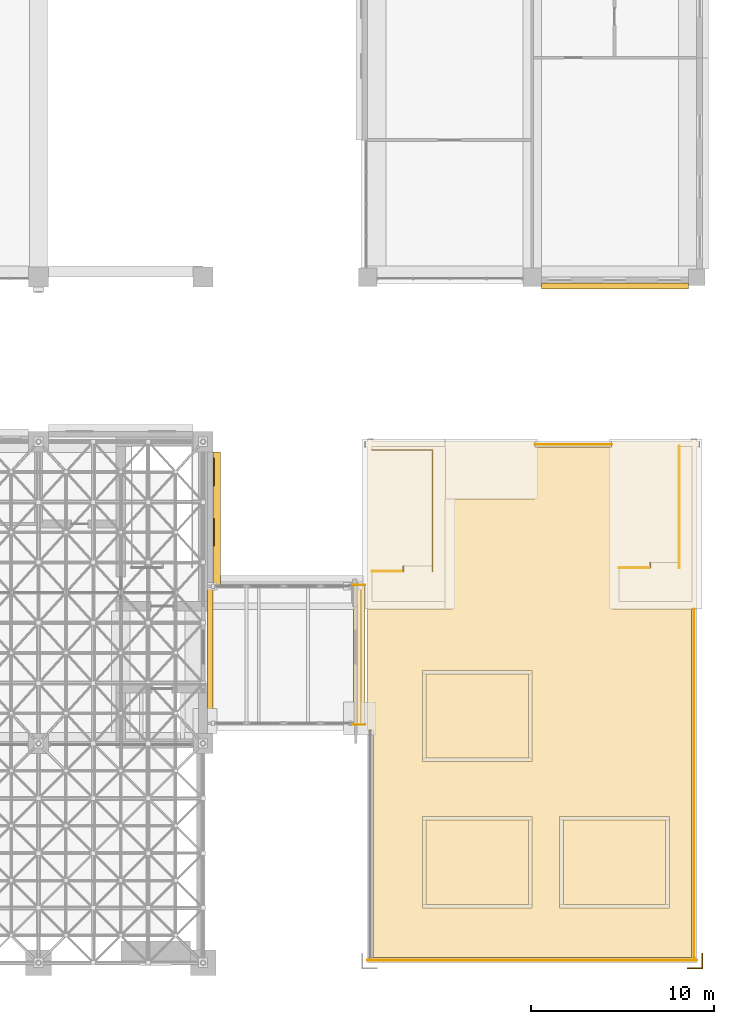
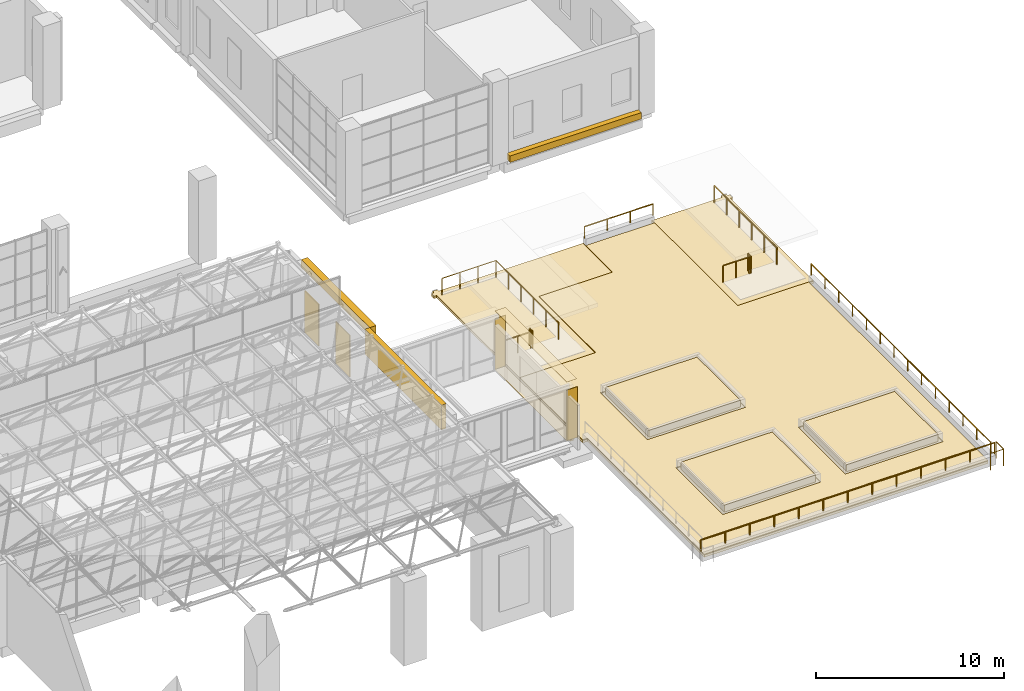
# One storey, part 44 of 53: 15 coverings, 10 railings.
"""IFC4 building model written with IfcOpenShell, lengths in metres."""

from ifc_helpers import new_model, si_unit, direction, frame, origin, origin_2d, place, context, subcontext, project, spatial, polyline, rectangle, circle, outline, extrude, material, layer, layer_set, type_object, element, save


model = new_model("IFC4")

# Units and contexts
model_context = context("Model", 3, precision=1e-05, world=origin(), true_north=direction((0.0, 1.0)))
body_context = subcontext(model_context, "Body", "Model", "MODEL_VIEW")
ifc_project = project(units=[si_unit("LENGTHUNIT", "METRE"), si_unit("AREAUNIT", "SQUARE_METRE"), si_unit("VOLUMEUNIT", "CUBIC_METRE"), si_unit("PLANEANGLEUNIT", "RADIAN"), si_unit("MASSUNIT", "GRAM", prefix="KILO")], contexts=[model_context])

# Site, building, storey
site_placement = place(None, origin())
site = spatial("IfcSite", under=ifc_project, at=site_placement, CompositionType="ELEMENT")
building_placement = place(site_placement, origin())
building = spatial("IfcBuilding", under=site, at=building_placement, Name="Aurelan Courthouse", CompositionType="ELEMENT")
storey_placement = place(building_placement, frame((0.0, 0.0, 12.0)))
storey = spatial("IfcBuildingStorey", under=building, at=storey_placement, Name="L02", CompositionType="ELEMENT", Elevation=12.0)

# Coverings
ifc_material_1 = material(Name="Bronze sheet cladding")
ifc_layer_1 = layer(ifc_material_1, 0.06005859375)
ifc_layer_set_1 = layer_set([ifc_layer_1], Name="Bronze sheet cladding")
covering_type_1 = type_object("IfcCoveringType", Name="Ceremonial Court blind bay 1500 x 2700", PredefinedType="CLADDING", material=ifc_layer_set_1)
for number, where, z_axis, x_axis, name in (
    (1, (63.580078125, 23.550048828125, 0.89990234375), (0.0, 0.0, 1.0), (1.0, 0.0, 0.0), "Blind bay BB-V1-L02-004"),
    (2, (63.580078125, 26.85009765625, 0.89990234375), (0.0, 0.0, 1.0), (1.0, 0.0, 0.0), "Blind bay BB-V1-L02-005"),
):
    element("IfcCovering", number, at=place(storey_placement, frame(where, z_axis=z_axis, x_axis=x_axis)), inside=storey, type_object=covering_type_1, Name=name, PredefinedType="CLADDING", context=body_context, shape_type="SweptSolid", body=[
        extrude(rectangle(XDim=0.06005859375, YDim=1.5, at=origin_2d()), origin(), (0.0, 0.0, 1.0), 2.699951171875),
    ])
ifc_material_2 = material(Name="Limestone cladding", Category="masonry")
covering_type_2 = type_object("IfcCoveringType", Name="Ceremonial Court cornice 500 x 400", PredefinedType="CLADDING", material=ifc_material_2)
covering_1_placement = place(storey_placement, frame((63.75, 24.3125, 4.89990234375), z_axis=(0.0, 0.0, 1.0), x_axis=(1.0, 0.0, 0.0)))
element("IfcCovering", 3, at=covering_1_placement, inside=storey, type_object=covering_type_2, Name="Cornice CRN-V1-002", PredefinedType="CLADDING", context=body_context, shape_type="SweptSolid", body=[
    extrude(rectangle(XDim=0.39990234375, YDim=7.27490234375, at=origin_2d()), origin(), (0.0, 0.0, 1.0), 0.5),
])

# Railings
ifc_material_3 = material(Name="Bronze-finished aluminium", Category="aluminium")
railing_type_1 = type_object("IfcRailingType", Name="Garden edge guard 1100", PredefinedType="GUARDRAIL", material=ifc_material_3)
railing_1_placement = place(storey_placement, frame((89.5, -0.300048828125, -0.197998046875)))
element("IfcRailing", 4, at=railing_1_placement, inside=storey, type_object=railing_type_1, Name="Garden edge guard RG-GD06", PredefinedType="GUARDRAIL", context=body_context, shape_type="SweptSolid", body=[
    extrude(circle(Radius=0.02392578125, at=origin_2d()), frame((0.0, 0.0, 1.076171875), z_axis=(1.0, 0.0, 0.0), x_axis=(0.0, 1.0, 0.0)), (0.0, 0.0, 1.0), 0.800048828125),
    extrude(circle(Radius=0.02392578125, at=origin_2d()), frame((0.800048828125, 0.0, 1.076171875), z_axis=(0.0, 1.0, 0.0), x_axis=(-1.0, 0.0, 0.0)), (0.0, 0.0, 1.0), 0.800048828125),
    extrude(circle(Radius=0.02099609375, at=origin_2d()), origin(), (0.0, 0.0, 1.0), 1.052001953125),
    extrude(circle(Radius=0.02099609375, at=origin_2d()), frame((0.800048828125, 0.0, 0.0)), (0.0, 0.0, 1.0), 1.052001953125),
    extrude(circle(Radius=0.02099609375, at=origin_2d()), frame((0.800048828125, 0.800048828125, 0.0)), (0.0, 0.0, 1.0), 1.052001953125),
])
railing_type_2 = type_object("IfcRailingType", Name="Garden guard 750", PredefinedType="GUARDRAIL", material=ifc_material_3)
railing_2_placement = place(storey_placement, frame((72.0, 0.14990234375, 0.402099609375)))
element("IfcRailing", 5, at=railing_2_placement, inside=storey, type_object=railing_type_2, Name="Garden guard RG-GD01", PredefinedType="GUARDRAIL", context=body_context, shape_type="SweptSolid", body=[
    extrude(circle(Radius=0.02392578125, at=origin_2d()), frame((0.0, 0.0, 0.72607421875), z_axis=(1.0, 0.0, 0.0), x_axis=(0.0, 1.0, 0.0)), (0.0, 0.0, 1.0), 18.0),
    extrude(circle(Radius=0.02099609375, at=origin_2d()), origin(), (0.0, 0.0, 1.0), 0.701904296875),
    extrude(circle(Radius=0.02099609375, at=origin_2d()), frame((1.5, 0.0, 0.0)), (0.0, 0.0, 1.0), 0.701904296875),
    extrude(circle(Radius=0.02099609375, at=origin_2d()), frame((3.0, 0.0, 0.0)), (0.0, 0.0, 1.0), 0.701904296875),
    extrude(circle(Radius=0.02099609375, at=origin_2d()), frame((4.5, 0.0, 0.0)), (0.0, 0.0, 1.0), 0.701904296875),
    extrude(circle(Radius=0.02099609375, at=origin_2d()), frame((6.0, 0.0, 0.0)), (0.0, 0.0, 1.0), 0.701904296875),
    extrude(circle(Radius=0.02099609375, at=origin_2d()), frame((7.5, 0.0, 0.0)), (0.0, 0.0, 1.0), 0.701904296875),
    extrude(circle(Radius=0.02099609375, at=origin_2d()), frame((9.0, 0.0, 0.0)), (0.0, 0.0, 1.0), 0.701904296875),
    extrude(circle(Radius=0.02099609375, at=origin_2d()), frame((10.5, 0.0, 0.0)), (0.0, 0.0, 1.0), 0.701904296875),
    extrude(circle(Radius=0.02099609375, at=origin_2d()), frame((12.0, 0.0, 0.0)), (0.0, 0.0, 1.0), 0.701904296875),
    extrude(circle(Radius=0.02099609375, at=origin_2d()), frame((13.5, 0.0, 0.0)), (0.0, 0.0, 1.0), 0.701904296875),
    extrude(circle(Radius=0.02099609375, at=origin_2d()), frame((15.0, 0.0, 0.0)), (0.0, 0.0, 1.0), 0.701904296875),
    extrude(circle(Radius=0.02099609375, at=origin_2d()), frame((16.5, 0.0, 0.0)), (0.0, 0.0, 1.0), 0.701904296875),
    extrude(circle(Radius=0.02099609375, at=origin_2d()), frame((18.0, 0.0, 0.0)), (0.0, 0.0, 1.0), 0.701904296875),
])
railing_3_placement = place(storey_placement, frame((81.14990234375, 28.35009765625, 0.402099609375)))
element("IfcRailing", 6, at=railing_3_placement, inside=storey, type_object=railing_type_2, Name="Garden guard RG-GD02", PredefinedType="GUARDRAIL", context=body_context, shape_type="SweptSolid", body=[
    extrude(circle(Radius=0.02392578125, at=origin_2d()), frame((0.0, 0.0, 0.72607421875), z_axis=(1.0, 0.0, 0.0), x_axis=(0.0, 1.0, 0.0)), (0.0, 0.0, 1.0), 4.2001953125),
    extrude(circle(Radius=0.02099609375, at=origin_2d()), origin(), (0.0, 0.0, 1.0), 0.701904296875),
    extrude(circle(Radius=0.02099609375, at=origin_2d()), frame((1.400146484375, 0.0, 0.0)), (0.0, 0.0, 1.0), 0.701904296875),
    extrude(circle(Radius=0.02099609375, at=origin_2d()), frame((2.800048828125, 0.0, 0.0)), (0.0, 0.0, 1.0), 0.701904296875),
    extrude(circle(Radius=0.02099609375, at=origin_2d()), frame((4.2001953125, 0.0, 0.0)), (0.0, 0.0, 1.0), 0.701904296875),
])
railing_4_placement = place(storey_placement, frame((89.85009765625, 0.300048828125, 0.402099609375)))
element("IfcRailing", 7, at=railing_4_placement, inside=storey, type_object=railing_type_2, Name="Garden guard RG-GD04", PredefinedType="GUARDRAIL", context=body_context, shape_type="SweptSolid", body=[
    extrude(circle(Radius=0.02392578125, at=origin_2d()), frame((0.0, 0.0, 0.72607421875), z_axis=(0.0, 1.0, 0.0), x_axis=(-1.0, 0.0, 0.0)), (0.0, 0.0, 1.0), 19.050048828125),
    extrude(circle(Radius=0.02099609375, at=origin_2d()), origin(), (0.0, 0.0, 1.0), 0.701904296875),
    extrude(circle(Radius=0.02099609375, at=origin_2d()), frame((0.0, 1.46533203125, 0.0)), (0.0, 0.0, 1.0), 0.701904296875),
    extrude(circle(Radius=0.02099609375, at=origin_2d()), frame((0.0, 2.9306640625, 0.0)), (0.0, 0.0, 1.0), 0.701904296875),
    extrude(circle(Radius=0.02099609375, at=origin_2d()), frame((0.0, 4.396240234375, 0.0)), (0.0, 0.0, 1.0), 0.701904296875),
    extrude(circle(Radius=0.02099609375, at=origin_2d()), frame((0.0, 5.861572265625, 0.0)), (0.0, 0.0, 1.0), 0.701904296875),
    extrude(circle(Radius=0.02099609375, at=origin_2d()), frame((0.0, 7.326904296875, 0.0)), (0.0, 0.0, 1.0), 0.701904296875),
    extrude(circle(Radius=0.02099609375, at=origin_2d()), frame((0.0, 8.792236328125, 0.0)), (0.0, 0.0, 1.0), 0.701904296875),
    extrude(circle(Radius=0.02099609375, at=origin_2d()), frame((0.0, 10.2578125, 0.0)), (0.0, 0.0, 1.0), 0.701904296875),
    extrude(circle(Radius=0.02099609375, at=origin_2d()), frame((0.0, 11.72314453125, 0.0)), (0.0, 0.0, 1.0), 0.701904296875),
    extrude(circle(Radius=0.02099609375, at=origin_2d()), frame((0.0, 13.1884765625, 0.0)), (0.0, 0.0, 1.0), 0.701904296875),
    extrude(circle(Radius=0.02099609375, at=origin_2d()), frame((0.0, 14.65380859375, 0.0)), (0.0, 0.0, 1.0), 0.701904296875),
    extrude(circle(Radius=0.02099609375, at=origin_2d()), frame((0.0, 16.119384765625, 0.0)), (0.0, 0.0, 1.0), 0.701904296875),
    extrude(circle(Radius=0.02099609375, at=origin_2d()), frame((0.0, 17.584716796875, 0.0)), (0.0, 0.0, 1.0), 0.701904296875),
    extrude(circle(Radius=0.02099609375, at=origin_2d()), frame((0.0, 19.050048828125, 0.0)), (0.0, 0.0, 1.0), 0.701904296875),
])

# Coverings
ifc_material_4 = material(Name="Stainless steel", Category="steel")
ifc_layer_2 = layer(ifc_material_4, 0.011962890625)
ifc_layer_set_2 = layer_set([ifc_layer_2], Name="Stainless steel")
covering_type_3 = type_object("IfcCoveringType", Name="Joint cover plate 640 x 12", PredefinedType="FLOORING", material=ifc_layer_set_2)
covering_2_placement = place(storey_placement, frame((71.5400390625, 16.85009765625, 0.0), z_axis=(0.0, 0.0, 1.0), x_axis=(1.0, 0.0, 0.0)))
element("IfcCovering", 8, at=covering_2_placement, inside=storey, type_object=covering_type_3, Name="Floor joint cover JC-F2", PredefinedType="FLOORING", context=body_context, shape_type="SweptSolid", body=[
    extrude(rectangle(XDim=0.639892578125, YDim=7.6201171875, at=origin_2d()), origin(), (0.0, 0.0, 1.0), 0.011962890625),
])
ifc_material_5 = material(Name="Waterproofing membrane")
ifc_layer_3 = layer(ifc_material_5, 0.10009765625)
ifc_layer_set_3 = layer_set([ifc_layer_3], Name="Waterproofing membrane")
covering_type_4 = type_object("IfcCoveringType", Name="Joint seal 220 x 100", PredefinedType="MEMBRANE", material=ifc_layer_set_3)
covering_3_placement = place(storey_placement, frame((71.5400390625, 16.85009765625, -0.10009765625), z_axis=(0.0, 0.0, 1.0), x_axis=(1.0, 0.0, 0.0)))
element("IfcCovering", 9, at=covering_3_placement, inside=storey, type_object=covering_type_4, Name="Joint seal JS-2", PredefinedType="MEMBRANE", context=body_context, shape_type="SweptSolid", body=[
    extrude(rectangle(XDim=0.219970703125, YDim=7.6201171875, at=origin_2d()), origin(), (0.0, 0.0, 1.0), 0.10009765625),
])
covering_type_5 = type_object("IfcCoveringType", Name="Law Library string course 420 x 320", PredefinedType="CLADDING", material=ifc_material_2)
covering_4_placement = place(storey_placement, frame((85.52490234375, 37.02001953125, 0.0), z_axis=(0.0, 0.0, 1.0), x_axis=(1.0, 0.0, 0.0)))
element("IfcCovering", 10, at=covering_4_placement, inside=storey, type_object=covering_type_5, Name="String course SC-V3-001", PredefinedType="CLADDING", context=body_context, shape_type="SweptSolid", body=[
    extrude(rectangle(XDim=8.050048828125, YDim=0.320068359375, at=origin_2d()), origin(), (0.0, 0.0, 1.0), 0.419921875),
])
ifc_layer_4 = layer(ifc_material_2, 0.300048828125)
ifc_layer_set_4 = layer_set([ifc_layer_4], Name="Limestone cladding")
covering_type_6 = type_object("IfcCoveringType", Name="Limestone infill panel 300", PredefinedType="CLADDING", material=ifc_layer_set_4)
covering_5_placement = place(storey_placement, frame((63.39990234375, 16.612548828125, 3.800048828125), z_axis=(0.0, 0.0, 1.0), x_axis=(1.0, 0.0, 0.0)))
element("IfcCovering", 11, at=covering_5_placement, inside=storey, type_object=covering_type_6, Name="Facade infill panel FI-V1-L02-001", PredefinedType="CLADDING", context=body_context, shape_type="SweptSolid", body=[
    extrude(rectangle(XDim=0.300048828125, YDim=8.125, at=origin_2d()), origin(), (0.0, 0.0, 1.0), 1.60009765625),
])
ifc_material_6 = material(Name="Planting soil")
ifc_layer_5 = layer(ifc_material_6, 0.449951171875)
ifc_layer_set_5 = layer_set([ifc_layer_5], Name="Planting soil")
covering_type_7 = type_object("IfcCoveringType", Name="Planted bed 450", PredefinedType="FLOORING", material=ifc_layer_set_5)
covering_6_placement = place(storey_placement, frame((0.0, 0.0, -0.197998046875)))
element("IfcCovering", 12, at=covering_6_placement, inside=storey, type_object=covering_type_7, Name="Planted bed PL-1", PredefinedType="FLOORING", context=body_context, shape_type="SweptSolid", body=[
    extrude(outline(polyline([(75.199951171875, 3.199951171875), (80.800048828125, 3.199951171875), (80.800048828125, 7.800048828125), (75.199951171875, 7.800048828125), (75.199951171875, 3.199951171875)])), origin(), (0.0, 0.0, 1.0), 0.60791015625),
])
covering_7_placement = place(storey_placement, frame((0.0, 0.0, -0.197998046875)))
element("IfcCovering", 13, at=covering_7_placement, inside=storey, type_object=covering_type_7, Name="Planted bed PL-2", PredefinedType="FLOORING", context=body_context, shape_type="SweptSolid", body=[
    extrude(outline(polyline([(82.699951171875, 3.199951171875), (88.300048828125, 3.199951171875), (88.300048828125, 7.800048828125), (82.699951171875, 7.800048828125), (82.699951171875, 3.199951171875)])), origin(), (0.0, 0.0, 1.0), 0.60791015625),
])
covering_8_placement = place(storey_placement, frame((0.0, 0.0, -0.197998046875)))
element("IfcCovering", 14, at=covering_8_placement, inside=storey, type_object=covering_type_7, Name="Planted bed PL-3", PredefinedType="FLOORING", context=body_context, shape_type="SweptSolid", body=[
    extrude(outline(polyline([(75.199951171875, 11.199951171875), (80.800048828125, 11.199951171875), (80.800048828125, 15.800048828125), (75.199951171875, 15.800048828125), (75.199951171875, 11.199951171875)])), origin(), (0.0, 0.0, 1.0), 0.60791015625),
])
ifc_material_7 = material(Name="Geotextile")
ifc_layer_6 = layer(ifc_material_7, 0.001953125, Name="Filter fleece")
ifc_material_8 = material(Name="Polyethylene drainage board")
ifc_layer_7 = layer(ifc_material_8, 0.02490234375, Name="Drainage board")
ifc_material_9 = material(Name="Polyethylene root barrier")
ifc_layer_8 = layer(ifc_material_9, 0.0029296875, Name="Root barrier")
ifc_layer_9 = layer(ifc_material_5, 0.008056640625, Name="Waterproofing membrane")
ifc_material_10 = material(Name="Mineral wool insulation")
ifc_layer_10 = layer(ifc_material_10, 0.06005859375, Name="Insulation")
ifc_material_11 = material(Name="Cement screed")
ifc_layer_11 = layer(ifc_material_11, 0.06005859375, Name="Screed to falls")
ifc_layer_set_6 = layer_set([ifc_layer_6, ifc_layer_7, ifc_layer_8, ifc_layer_9, ifc_layer_10, ifc_layer_11], Name="Waterproofing membrane")
covering_type_8 = type_object("IfcCoveringType", Name="Roof garden build-up 158", PredefinedType="ROOFING", material=ifc_layer_set_6)
covering_9_placement = place(storey_placement, frame((0.0, 0.0, -0.197998046875)))
element("IfcCovering", 15, at=covering_9_placement, inside=storey, type_object=covering_type_8, Name="Roof garden build-up RG", PredefinedType="ROOFING", context=body_context, shape_type="SweptSolid", body=[
    extrude(outline(polyline([(71.85009765625, 28.199951171875), (72.0, 28.199951171875), (72.0, 21.0), (72.0, 19.35009765625), (72.0, 12.699951171875), (72.300048828125, 12.699951171875), (72.300048828125, 0.300048828125), (89.699951171875, 0.300048828125), (89.699951171875, 19.35009765625), (90.0, 19.35009765625), (90.0, 28.199951171875), (90.14990234375, 28.199951171875), (90.14990234375, 28.5), (90.0, 28.5), (90.0, 28.64990234375), (89.699951171875, 28.64990234375), (89.699951171875, 28.5), (85.35009765625, 28.5), (85.35009765625, 28.199951171875), (81.14990234375, 28.199951171875), (81.14990234375, 28.5), (76.64990234375, 28.5), (76.35009765625, 28.5), (72.300048828125, 28.5), (72.300048828125, 28.64990234375), (72.0, 28.64990234375), (72.0, 28.5), (71.85009765625, 28.5), (71.85009765625, 28.199951171875)])), origin(), (0.0, 0.0, 1.0), 0.157958984375),
])
ifc_material_12 = material(Name="Granite pavers", Category="masonry")
ifc_layer_12 = layer(ifc_material_12, 0.0400390625)
ifc_layer_set_7 = layer_set([ifc_layer_12], Name="Granite pavers")
covering_type_9 = type_object("IfcCoveringType", Name="Roof garden pavers 40", PredefinedType="FLOORING", material=ifc_layer_set_7)
covering_10_placement = place(storey_placement, frame((0.0, 0.0, -0.0400390625)))
element("IfcCovering", 16, at=covering_10_placement, inside=storey, type_object=covering_type_9, Name="Roof garden paving RG-01", PredefinedType="FLOORING", context=body_context, shape_type="SweptSolid", body=[
    extrude(outline(polyline([(72.0, 19.35009765625), (72.0, 12.699951171875), (72.300048828125, 12.699951171875), (72.300048828125, 0.300048828125), (89.699951171875, 0.300048828125), (89.699951171875, 19.35009765625), (90.0, 19.35009765625), (90.0, 19.360107421875), (85.360107421875, 19.360107421875), (85.360107421875, 28.5), (85.35009765625, 28.5), (85.35009765625, 28.199951171875), (81.14990234375, 28.199951171875), (81.14990234375, 28.5), (81.139892578125, 28.5), (81.139892578125, 25.360107421875), (76.639892578125, 25.360107421875), (76.639892578125, 19.360107421875), (72.0, 19.360107421875), (72.0, 19.35009765625)]), holes=[polyline([(75.0, 3.0), (81.0, 3.0), (81.0, 8.0), (75.0, 8.0), (75.0, 3.0)]), polyline([(82.5, 8.0), (82.5, 3.0), (88.5, 3.0), (88.5, 8.0), (82.5, 8.0)]), polyline([(75.0, 16.0), (75.0, 11.0), (81.0, 11.0), (81.0, 16.0), (75.0, 16.0)])]), origin(), (0.0, 0.0, 1.0), 0.0400390625),
])
ifc_material_13 = material(Name="Zinc standing-seam cladding")
ifc_layer_13 = layer(ifc_material_13, 0.011962890625)
ifc_layer_set_8 = layer_set([ifc_layer_13], Name="Zinc standing-seam cladding")
covering_type_10 = type_object("IfcCoveringType", Name="Roof joint cover 640 x 12", PredefinedType="ROOFING", material=ifc_layer_set_8)
covering_11_placement = place(storey_placement, frame((71.5400390625, 16.85009765625, 3.7998046875), z_axis=(0.0, 0.0, 1.0), x_axis=(1.0, 0.0, 0.0)))
element("IfcCovering", 17, at=covering_11_placement, inside=storey, type_object=covering_type_10, Name="Roof joint cover JC-R2", PredefinedType="ROOFING", context=body_context, shape_type="SweptSolid", body=[
    extrude(rectangle(XDim=0.639892578125, YDim=7.6201171875, at=origin_2d()), origin(), (0.0, 0.0, 1.0), 0.011962890625),
])

# Railings
ifc_material_14 = material(Name="Steel S355", Category="steel")
railing_type_3 = type_object("IfcRailingType", Name="Stair guard 1100", PredefinedType="GUARDRAIL", material=ifc_material_14)
railing_5_placement = place(storey_placement, frame((73.85009765625, 21.409912109375, 0.0)))
element("IfcRailing", 18, at=railing_5_placement, inside=storey, type_object=railing_type_3, Name="Guard ST-4A-L02-G1", PredefinedType="GUARDRAIL", context=body_context, shape_type="SweptSolid", body=[
    extrude(circle(Radius=0.02392578125, at=origin_2d()), frame((0.0, 0.0, 1.076171875), z_axis=(-1.0, 0.0, 0.0), x_axis=(0.0, -1.0, 0.0)), (0.0, 0.0, 1.0), 1.60009765625),
    extrude(circle(Radius=0.02099609375, at=origin_2d()), origin(), (0.0, 0.0, 1.0), 1.052001953125),
    extrude(circle(Radius=0.02099609375, at=origin_2d()), frame((-0.800048828125, 0.0, 0.0)), (0.0, 0.0, 1.0), 1.052001953125),
    extrude(circle(Radius=0.02099609375, at=origin_2d()), frame((-1.60009765625, 0.0, 0.0)), (0.0, 0.0, 1.0), 1.052001953125),
])
railing_6_placement = place(storey_placement, frame((72.25, 28.050048828125, 0.0)))
element("IfcRailing", 19, at=railing_6_placement, inside=storey, type_object=railing_type_3, Name="Guard ST-4A-L02-G2", PredefinedType="GUARDRAIL", context=body_context, shape_type="SweptSolid", body=[
    extrude(circle(Radius=0.02392578125, at=origin_2d()), frame((0.0, 0.0, 1.076171875), z_axis=(1.0, 0.0, 0.0), x_axis=(0.0, 1.0, 0.0)), (0.0, 0.0, 1.0), 3.300048828125),
    extrude(circle(Radius=0.02392578125, at=origin_2d()), frame((3.300048828125, 0.0, 1.076171875), z_axis=(0.0, -1.0, 0.0), x_axis=(1.0, 0.0, 0.0)), (0.0, 0.0, 1.0), 6.64013671875),
    extrude(circle(Radius=0.02099609375, at=origin_2d()), origin(), (0.0, 0.0, 1.0), 1.052001953125),
    extrude(circle(Radius=0.02099609375, at=origin_2d()), frame((1.10009765625, 0.0, 0.0)), (0.0, 0.0, 1.0), 1.052001953125),
    extrude(circle(Radius=0.02099609375, at=origin_2d()), frame((2.199951171875, 0.0, 0.0)), (0.0, 0.0, 1.0), 1.052001953125),
    extrude(circle(Radius=0.02099609375, at=origin_2d()), frame((3.300048828125, 0.0, 0.0)), (0.0, 0.0, 1.0), 1.052001953125),
    extrude(circle(Radius=0.02099609375, at=origin_2d()), frame((3.300048828125, -1.328125, 0.0)), (0.0, 0.0, 1.0), 1.052001953125),
    extrude(circle(Radius=0.02099609375, at=origin_2d()), frame((3.300048828125, -2.656005859375, 0.0)), (0.0, 0.0, 1.0), 1.052001953125),
    extrude(circle(Radius=0.02099609375, at=origin_2d()), frame((3.300048828125, -3.984130859375, 0.0)), (0.0, 0.0, 1.0), 1.052001953125),
    extrude(circle(Radius=0.02099609375, at=origin_2d()), frame((3.300048828125, -5.31201171875, 0.0)), (0.0, 0.0, 1.0), 1.052001953125),
    extrude(circle(Radius=0.02099609375, at=origin_2d()), frame((3.300048828125, -6.64013671875, 0.0)), (0.0, 0.0, 1.0), 1.052001953125),
])
railing_7_placement = place(storey_placement, frame((73.949951171875, 21.409912109375, 0.0)))
element("IfcRailing", 20, at=railing_7_placement, inside=storey, type_object=railing_type_3, Name="Guard ST-4A-L02-G3", PredefinedType="GUARDRAIL", context=body_context, shape_type="SweptSolid", body=[
    extrude(circle(Radius=0.02392578125, at=origin_2d()), frame((0.0, 0.0, 1.076171875), z_axis=(0.0, 1.0, 0.0), x_axis=(-1.0, 0.0, 0.0)), (0.0, 0.0, 1.0), 0.280029296875),
    extrude(circle(Radius=0.02099609375, at=origin_2d()), origin(), (0.0, 0.0, 1.0), 1.052001953125),
    extrude(circle(Radius=0.02099609375, at=origin_2d()), frame((0.0, 0.280029296875, 0.0)), (0.0, 0.0, 1.0), 1.052001953125),
])
railing_8_placement = place(storey_placement, frame((87.35009765625, 21.610107421875, 0.0)))
element("IfcRailing", 21, at=railing_8_placement, inside=storey, type_object=railing_type_3, Name="Guard ST-4B-L02-G1", PredefinedType="GUARDRAIL", context=body_context, shape_type="SweptSolid", body=[
    extrude(circle(Radius=0.02392578125, at=origin_2d()), frame((0.0, 0.0, 1.076171875), z_axis=(-1.0, 0.0, 0.0), x_axis=(0.0, -1.0, 0.0)), (0.0, 0.0, 1.0), 1.60009765625),
    extrude(circle(Radius=0.02099609375, at=origin_2d()), origin(), (0.0, 0.0, 1.0), 1.052001953125),
    extrude(circle(Radius=0.02099609375, at=origin_2d()), frame((-0.800048828125, 0.0, 0.0)), (0.0, 0.0, 1.0), 1.052001953125),
    extrude(circle(Radius=0.02099609375, at=origin_2d()), frame((-1.60009765625, 0.0, 0.0)), (0.0, 0.0, 1.0), 1.052001953125),
])
railing_9_placement = place(storey_placement, frame((89.050048828125, 28.25, 0.0)))
element("IfcRailing", 22, at=railing_9_placement, inside=storey, type_object=railing_type_3, Name="Guard ST-4B-L02-G2", PredefinedType="GUARDRAIL", context=body_context, shape_type="SweptSolid", body=[
    extrude(circle(Radius=0.02392578125, at=origin_2d()), frame((0.0, 0.0, 1.076171875), z_axis=(0.0, -1.0, 0.0), x_axis=(1.0, 0.0, 0.0)), (0.0, 0.0, 1.0), 6.639892578125),
    extrude(circle(Radius=0.02099609375, at=origin_2d()), origin(), (0.0, 0.0, 1.0), 1.052001953125),
    extrude(circle(Radius=0.02099609375, at=origin_2d()), frame((0.0, -1.327880859375, 0.0)), (0.0, 0.0, 1.0), 1.052001953125),
    extrude(circle(Radius=0.02099609375, at=origin_2d()), frame((0.0, -2.656005859375, 0.0)), (0.0, 0.0, 1.0), 1.052001953125),
    extrude(circle(Radius=0.02099609375, at=origin_2d()), frame((0.0, -3.98388671875, 0.0)), (0.0, 0.0, 1.0), 1.052001953125),
    extrude(circle(Radius=0.02099609375, at=origin_2d()), frame((0.0, -5.31201171875, 0.0)), (0.0, 0.0, 1.0), 1.052001953125),
    extrude(circle(Radius=0.02099609375, at=origin_2d()), frame((0.0, -6.639892578125, 0.0)), (0.0, 0.0, 1.0), 1.052001953125),
])
railing_10_placement = place(storey_placement, frame((87.449951171875, 21.610107421875, 0.0)))
element("IfcRailing", 23, at=railing_10_placement, inside=storey, type_object=railing_type_3, Name="Guard ST-4B-L02-G3", PredefinedType="GUARDRAIL", context=body_context, shape_type="SweptSolid", body=[
    extrude(circle(Radius=0.02392578125, at=origin_2d()), frame((0.0, 0.0, 1.076171875), z_axis=(0.0, 1.0, 0.0), x_axis=(-1.0, 0.0, 0.0)), (0.0, 0.0, 1.0), 0.27978515625),
    extrude(circle(Radius=0.02099609375, at=origin_2d()), origin(), (0.0, 0.0, 1.0), 1.052001953125),
    extrude(circle(Radius=0.02099609375, at=origin_2d()), frame((0.0, 0.27978515625, 0.0)), (0.0, 0.0, 1.0), 1.052001953125),
])

# Coverings
ifc_layer_14 = layer(ifc_material_1, 0.011962890625)
ifc_layer_set_9 = layer_set([ifc_layer_14], Name="Bronze sheet cladding")
covering_type_11 = type_object("IfcCoveringType", Name="Wall joint cover 640 x 12", PredefinedType="CLADDING", material=ifc_layer_set_9)
for number, where, z_axis, x_axis, name in (
    (24, (71.5400390625, 13.033935546875, 0.011962890625), (0.0, 0.0, 1.0), (1.0, 0.0, 0.0), "Wall joint cover JC-W3"),
    (25, (71.5400390625, 20.666015625, 0.011962890625), (0.0, 0.0, 1.0), (1.0, 0.0, 0.0), "Wall joint cover JC-W4"),
):
    element("IfcCovering", number, at=place(storey_placement, frame(where, z_axis=z_axis, x_axis=x_axis)), inside=storey, type_object=covering_type_11, Name=name, PredefinedType="CLADDING", context=body_context, shape_type="SweptSolid", body=[
        extrude(rectangle(XDim=0.639892578125, YDim=0.011962890625, at=origin_2d()), origin(), (0.0, 0.0, 1.0), 3.2880859375),
    ])

save(model, "model.ifc")
